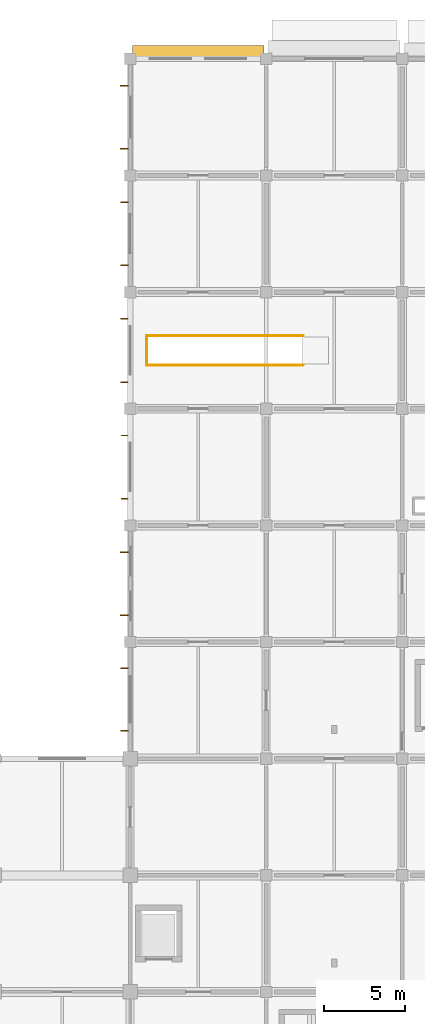
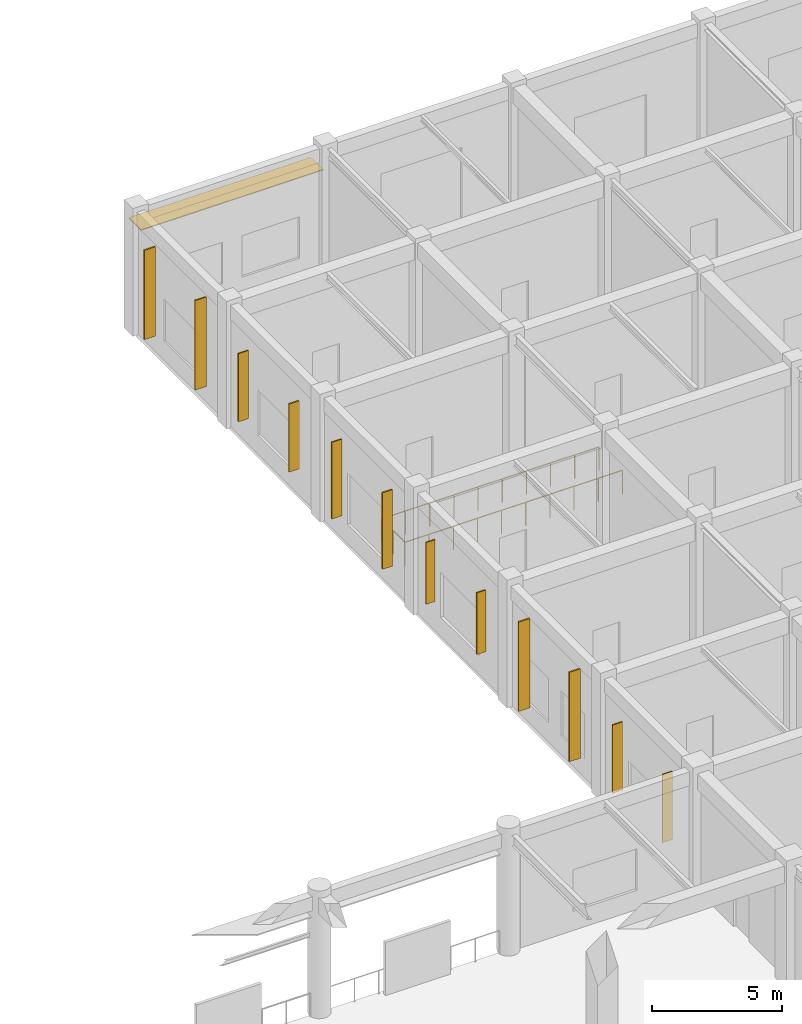
# One storey, part 36 of 39: 13 shading devices, 3 railings.
"""IFC4 building model written with IfcOpenShell, lengths in metres."""

from ifc_helpers import new_model, si_unit, derived_unit, direction, frame, origin, origin_2d, place, context, subcontext, project, spatial, rectangle, circle, extrude, material, layer, layer_set, type_object, element, save


model = new_model("IFC4")

# Units and contexts
model_context = context("Model", 3, precision=1e-05, world=origin(), true_north=direction((0.0, 1.0)))
body_context = subcontext(model_context, "Body", "Model", "MODEL_VIEW")
ifc_project = project(units=[si_unit("LENGTHUNIT", "METRE"), si_unit("AREAUNIT", "SQUARE_METRE"), si_unit("VOLUMEUNIT", "CUBIC_METRE"), si_unit("PLANEANGLEUNIT", "RADIAN"), si_unit("MASSUNIT", "GRAM", prefix="KILO"), derived_unit("THERMALTRANSMITTANCEUNIT", [(si_unit("MASSUNIT", "GRAM", prefix="KILO"), 1), (si_unit("TIMEUNIT", "SECOND"), -3), (si_unit("THERMODYNAMICTEMPERATUREUNIT", "KELVIN"), -1)])], contexts=[model_context])

# Site, building, storey
site_placement = place(None, origin())
site = spatial("IfcSite", under=ifc_project, at=site_placement, CompositionType="ELEMENT")
building_placement = place(site_placement, origin())
building = spatial("IfcBuilding", under=site, at=building_placement, Name="Veldstrom Oceanarium and Marine Research Institute", CompositionType="ELEMENT")
storey_placement = place(building_placement, origin())
storey = spatial("IfcBuildingStorey", under=building, at=storey_placement, Name="L00", CompositionType="ELEMENT", Elevation=0.0)

# Railings
ifc_material_1 = material(Name="Duplex Stainless Steel Balustrade", Category="steel")
ifc_layer_1 = layer(ifc_material_1, 0.06005859375)
ifc_layer_set_1 = layer_set([ifc_layer_1], Name="ARC-RLG-GR1")
railing_type = type_object("IfcRailingType", Name="ARC-RLG-GR1", PredefinedType="GUARDRAIL", material=ifc_layer_set_1)
railing_placement = place(storey_placement, frame((118.6298828125, 96.294921875, 0.0)))
element("IfcRailing", 1, at=railing_placement, inside=storey, type_object=railing_type, Name="Gallery Stair Well Guardrail ST5-06-W", PredefinedType="GUARDRAIL", context=body_context, shape_type="SweptSolid", body=[
    extrude(circle(Radius=0.02392578125, at=origin_2d()), frame((0.0, 0.0, 1.09619140625), z_axis=(0.0, 1.0, 0.0), x_axis=(-1.0, 0.0, 0.0)), (0.0, 0.0, 1.0), 1.81005859375),
    extrude(circle(Radius=0.02099609375, at=origin_2d()), origin(), (0.0, 0.0, 1.0), 1.072021484375),
    extrude(circle(Radius=0.02099609375, at=origin_2d()), frame((0.0, 0.905029296875, 0.0)), (0.0, 0.0, 1.0), 1.072021484375),
    extrude(circle(Radius=0.02099609375, at=origin_2d()), frame((0.0, 1.81005859375, 0.0)), (0.0, 0.0, 1.0), 1.072021484375),
])
for number, where, name in (
    (2, (118.6298828125, 96.294921875, 0.0), "Gallery Stair Well Guardrail ST5-06-S"),
    (3, (118.6298828125, 98.10498046875, 0.0), "Gallery Stair Well Guardrail ST5-06-N"),
):
    element("IfcRailing", number, at=place(storey_placement, frame(where)), inside=storey, type_object=railing_type, Name=name, PredefinedType="GUARDRAIL", context=body_context, shape_type="SweptSolid", body=[
        extrude(circle(Radius=0.02392578125, at=origin_2d()), frame((0.0, 0.0, 1.09619140625), z_axis=(1.0, 0.0, 0.0), x_axis=(0.0, 1.0, 0.0)), (0.0, 0.0, 1.0), 9.66015625),
        extrude(circle(Radius=0.02099609375, at=origin_2d()), origin(), (0.0, 0.0, 1.0), 1.072021484375),
        extrude(circle(Radius=0.02099609375, at=origin_2d()), frame((1.0732421875, 0.0, 0.0)), (0.0, 0.0, 1.0), 1.072021484375),
        extrude(circle(Radius=0.02099609375, at=origin_2d()), frame((2.146728515625, 0.0, 0.0)), (0.0, 0.0, 1.0), 1.072021484375),
        extrude(circle(Radius=0.02099609375, at=origin_2d()), frame((3.219970703125, 0.0, 0.0)), (0.0, 0.0, 1.0), 1.072021484375),
        extrude(circle(Radius=0.02099609375, at=origin_2d()), frame((4.29345703125, 0.0, 0.0)), (0.0, 0.0, 1.0), 1.072021484375),
        extrude(circle(Radius=0.02099609375, at=origin_2d()), frame((5.36669921875, 0.0, 0.0)), (0.0, 0.0, 1.0), 1.072021484375),
        extrude(circle(Radius=0.02099609375, at=origin_2d()), frame((6.440185546875, 0.0, 0.0)), (0.0, 0.0, 1.0), 1.072021484375),
        extrude(circle(Radius=0.02099609375, at=origin_2d()), frame((7.513427734375, 0.0, 0.0)), (0.0, 0.0, 1.0), 1.072021484375),
        extrude(circle(Radius=0.02099609375, at=origin_2d()), frame((8.5869140625, 0.0, 0.0)), (0.0, 0.0, 1.0), 1.072021484375),
        extrude(circle(Radius=0.02099609375, at=origin_2d()), frame((9.66015625, 0.0, 0.0)), (0.0, 0.0, 1.0), 1.072021484375),
    ])

# Shading devices
ifc_material_2 = material(Name="Precast Terracotta Brise-Soleil Louvre", Category="masonry")
ifc_layer_2 = layer(ifc_material_2, 3.60009765625)
ifc_layer_set_2 = layer_set([ifc_layer_2], Name="ARC-SHD-BS01")
shading_device_type_1 = type_object("IfcShadingDeviceType", Name="ARC-SHD-BS01", PredefinedType="JALOUSIE", material=ifc_layer_set_2)
for number, where, z_axis, x_axis, name in (
    (4, (117.235107421875, 95.25, 1.037353515625), (0.0, 0.0, 1.0), (1.0, 0.0, 0.0), "Terracotta Brise-Soleil Louvre L00-016"),
    (5, (117.235107421875, 99.14990234375, 1.037353515625), (0.0, 0.0, 1.0), (1.0, 0.0, 0.0), "Terracotta Brise-Soleil Louvre L00-016"),
):
    element("IfcShadingDevice", number, at=place(storey_placement, frame(where, z_axis=z_axis, x_axis=x_axis)), inside=storey, type_object=shading_device_type_1, Name=name, PredefinedType="JALOUSIE", context=body_context, shape_type="SweptSolid", body=[
        extrude(rectangle(XDim=0.449951171875, YDim=0.06005859375, at=origin_2d()), origin(), (0.0, 0.0, 1.0), 3.60009765625),
    ])
ifc_material_3 = material(Name="Precast Terracotta Brise-Soleil Louvre", Category="masonry")
ifc_layer_3 = layer(ifc_material_3, 3.199951171875)
ifc_layer_set_3 = layer_set([ifc_layer_3], Name="ARC-SHD-BS02")
shading_device_type_2 = type_object("IfcShadingDeviceType", Name="ARC-SHD-BS02", PredefinedType="JALOUSIE", material=ifc_layer_set_3)
for number, where, z_axis, x_axis, name in (
    (6, (117.2548828125, 73.72998046875, 1.2373046875), (0.0, 0.0, 1.0), (1.0, 0.0, 0.0), "Terracotta Brise-Soleil Louvre L00-013"),
    (7, (117.2548828125, 77.570068359375, 1.2373046875), (0.0, 0.0, 1.0), (1.0, 0.0, 0.0), "Terracotta Brise-Soleil Louvre L00-013"),
    (8, (117.2451171875, 102.449951171875, 1.2373046875), (0.0, 0.0, 1.0), (1.0, 0.0, 0.0), "Terracotta Brise-Soleil Louvre L00-017"),
    (9, (117.2451171875, 106.35009765625, 1.2373046875), (0.0, 0.0, 1.0), (1.0, 0.0, 0.0), "Terracotta Brise-Soleil Louvre L00-017"),
):
    element("IfcShadingDevice", number, at=place(storey_placement, frame(where, z_axis=z_axis, x_axis=x_axis)), inside=storey, type_object=shading_device_type_2, Name=name, PredefinedType="JALOUSIE", context=body_context, shape_type="SweptSolid", body=[
        extrude(rectangle(XDim=0.449951171875, YDim=0.06005859375, at=origin_2d()), origin(), (0.0, 0.0, 1.0), 3.199951171875),
    ])
ifc_material_4 = material(Name="Precast Terracotta Brise-Soleil Louvre", Category="masonry")
ifc_layer_4 = layer(ifc_material_4, 4.199951171875)
ifc_layer_set_4 = layer_set([ifc_layer_4], Name="ARC-SHD-BS03")
shading_device_type_3 = type_object("IfcShadingDeviceType", Name="ARC-SHD-BS03", PredefinedType="JALOUSIE", material=ifc_layer_set_4)
for number, where, z_axis, x_axis, name in (
    (10, (117.24755859375, 80.85009765625, 0.7373046875), (0.0, 0.0, 1.0), (1.0, 0.0, 0.0), "Terracotta Brise-Soleil Louvre L00-014"),
    (11, (117.24755859375, 84.75, 0.7373046875), (0.0, 0.0, 1.0), (1.0, 0.0, 0.0), "Terracotta Brise-Soleil Louvre L00-014"),
    (12, (117.24755859375, 109.64990234375, 0.7373046875), (0.0, 0.0, 1.0), (1.0, 0.0, 0.0), "Terracotta Brise-Soleil Louvre L00-018"),
    (13, (117.24755859375, 113.550048828125, 0.7373046875), (0.0, 0.0, 1.0), (1.0, 0.0, 0.0), "Terracotta Brise-Soleil Louvre L00-018"),
):
    element("IfcShadingDevice", number, at=place(storey_placement, frame(where, z_axis=z_axis, x_axis=x_axis)), inside=storey, type_object=shading_device_type_3, Name=name, PredefinedType="JALOUSIE", context=body_context, shape_type="SweptSolid", body=[
        extrude(rectangle(XDim=0.5, YDim=0.06494140625, at=origin_2d()), origin(), (0.0, 0.0, 1.0), 4.199951171875),
    ])
ifc_material_5 = material(Name="Precast Terracotta Brise-Soleil Louvre", Category="masonry")
ifc_layer_5 = layer(ifc_material_5, 2.89990234375)
ifc_layer_set_5 = layer_set([ifc_layer_5], Name="ARC-SHD-BS04")
shading_device_type_4 = type_object("IfcShadingDeviceType", Name="ARC-SHD-BS04", PredefinedType="JALOUSIE", material=ifc_layer_set_5)
for number, where, z_axis, x_axis, name in (
    (14, (117.25, 88.050048828125, 1.387451171875), (0.0, 0.0, 1.0), (1.0, 0.0, 0.0), "Terracotta Brise-Soleil Louvre L00-015"),
    (15, (117.25, 91.949951171875, 1.387451171875), (0.0, 0.0, 1.0), (1.0, 0.0, 0.0), "Terracotta Brise-Soleil Louvre L00-015"),
):
    element("IfcShadingDevice", number, at=place(storey_placement, frame(where, z_axis=z_axis, x_axis=x_axis)), inside=storey, type_object=shading_device_type_4, Name=name, PredefinedType="JALOUSIE", context=body_context, shape_type="SweptSolid", body=[
        extrude(rectangle(XDim=0.39990234375, YDim=0.054931640625, at=origin_2d()), origin(), (0.0, 0.0, 1.0), 2.89990234375),
    ])
ifc_material_6 = material(Name="Perforated Anodised Aluminium Louvre", Category="aluminium")
ifc_layer_6 = layer(ifc_material_6, 0.044921875)
ifc_layer_set_6 = layer_set([ifc_layer_6], Name="ARC-SHD-SH03")
shading_device_type_5 = type_object("IfcShadingDeviceType", Name="ARC-SHD-SH03", PredefinedType="AWNING", material=ifc_layer_set_6)
shading_device_placement = place(storey_placement, frame((121.800048828125, 115.554931640625, 4.650146484375), z_axis=(0.0, 0.0, 1.0), x_axis=(1.0, 0.0, 0.0)))
element("IfcShadingDevice", 16, at=shading_device_placement, inside=storey, type_object=shading_device_type_5, Name="North Solar Canopy Louvre L00-15", PredefinedType="AWNING", context=body_context, shape_type="SweptSolid", body=[
    extrude(rectangle(XDim=8.10009765625, YDim=0.949951171875, at=origin_2d()), origin(), (0.0, 0.0, 1.0), 0.044921875),
])

save(model, "model.ifc")
